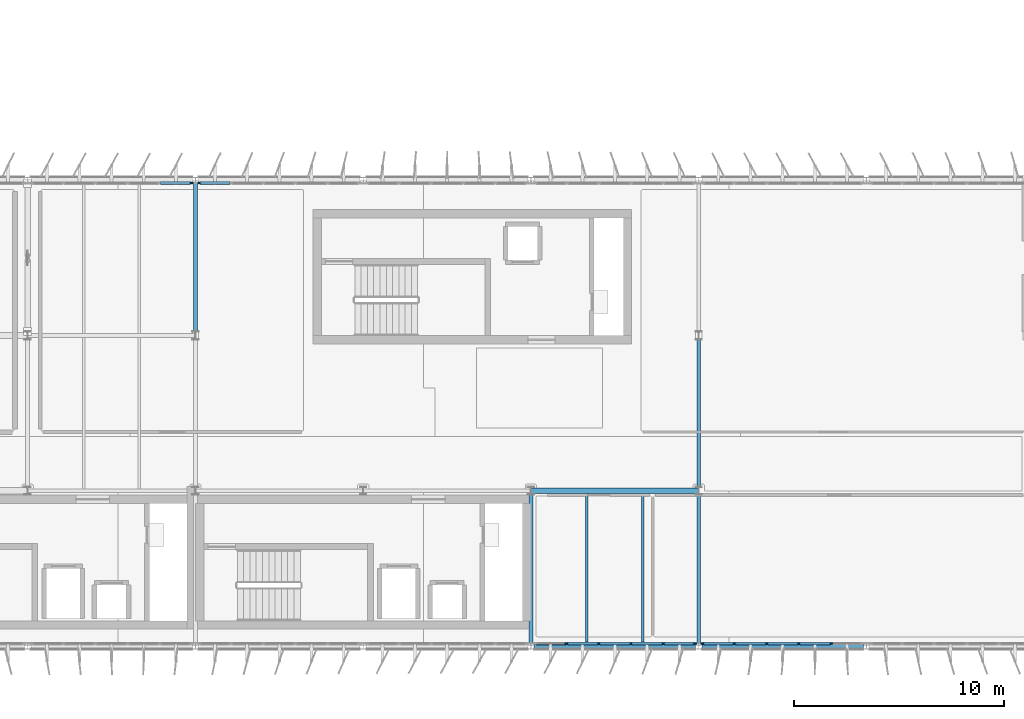
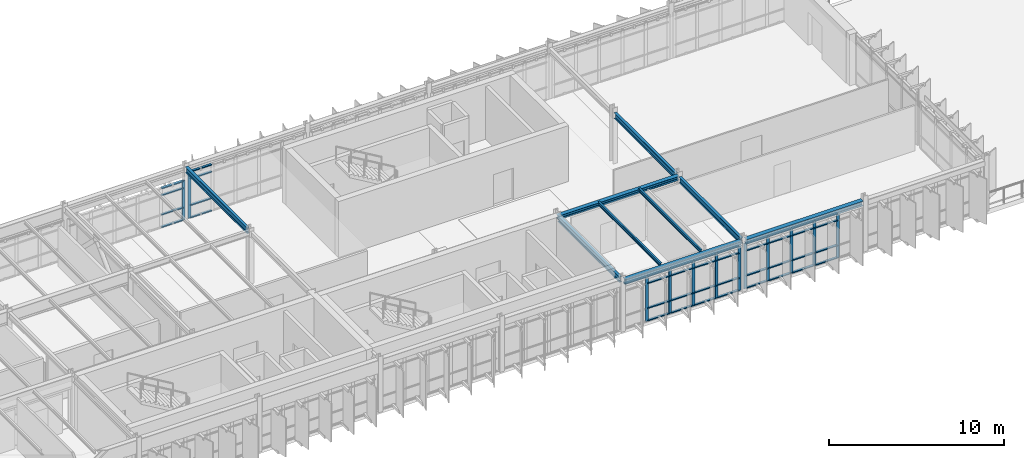
# One storey, part 10 of 35: 53 members, 9 beams, 4 elements without a shape of their own.
"""IFC4 building model written with IfcOpenShell, lengths in metres."""

from ifc_helpers import new_model, si_unit, direction, frame, origin, origin_2d, place, context, subcontext, project, spatial, rectangle, i_section, extrude, material, layer, layer_set, material_profile, profile_set, type_object, element, aggregate, save


model = new_model("IFC4")

# Units and contexts
model_context = context("Model", 3, precision=1e-05, world=origin(), true_north=direction((0.0, 1.0)))
body_context = subcontext(model_context, "Body", "Model", "MODEL_VIEW")
ifc_project = project(units=[si_unit("LENGTHUNIT", "METRE"), si_unit("AREAUNIT", "SQUARE_METRE"), si_unit("VOLUMEUNIT", "CUBIC_METRE"), si_unit("PLANEANGLEUNIT", "RADIAN"), si_unit("MASSUNIT", "GRAM", prefix="KILO")], contexts=[model_context])

# Site, building, storey
site_placement = place(None, origin())
site = spatial("IfcSite", under=ifc_project, at=site_placement, CompositionType="ELEMENT")
building_placement = place(site_placement, origin())
building = spatial("IfcBuilding", under=site, at=building_placement, Name="Valkorina Park Police Headquarters", CompositionType="ELEMENT")
storey_placement = place(building_placement, frame((0.0, 0.0, 27.199951171875)))
storey = spatial("IfcBuildingStorey", under=building, at=storey_placement, Name="L07", CompositionType="ELEMENT", Elevation=27.199951171875)

# Beams
ifc_material_1 = material(Name="Steel S355", Category="steel")
ifc_material_profile_1 = material_profile(ifc_material_1, i_section(OverallWidth=0.280029296875, OverallDepth=0.27001953125, WebThickness=0.008056640625, FlangeThickness=0.012939453125, FilletRadius=0.02392578125, at=origin_2d()), Name="HEA 280")
ifc_profile_set_1 = profile_set([ifc_material_profile_1], Name="Steel S355")
beam_type_1 = type_object("IfcBeamType", Name="BM-S355-HEA280-LNT", PredefinedType="LINTEL", material=ifc_profile_set_1)
beam_1_placement = place(storey_placement, frame((48.805419921875, 44.39990234375, 3.43505859375), z_axis=(1.0, 0.0, 0.0), x_axis=(0.0, 1.0, 0.0)))
element("IfcBeam", 1, at=beam_1_placement, inside=storey, type_object=beam_type_1, Name="L07 Framing Beam 2739", PredefinedType="LINTEL", context=body_context, shape_type="SweptSolid", body=[
    extrude(i_section(OverallWidth=0.280029296875, OverallDepth=0.27001953125, WebThickness=0.008056640625, FlangeThickness=0.012939453125, FilletRadius=0.02392578125, at=origin_2d()), origin(), (0.0, 0.0, 1.0), 7.989013671875),
])
ifc_material_profile_2 = material_profile(ifc_material_1, i_section(OverallWidth=0.300048828125, OverallDepth=0.330078125, WebThickness=0.009521484375, FlangeThickness=0.0166015625, FilletRadius=0.027099609375, at=origin_2d()), Name="HEA 340")
ifc_profile_set_2 = profile_set([ifc_material_profile_2], Name="Steel S355")
beam_type_2 = type_object("IfcBeamType", Name="BM-S355-HEA340-SPN", PredefinedType="SPANDREL", material=ifc_profile_set_2)
for number, where, z_axis, x_axis, name in (
    (2, (48.949951171875, 37.0, 3.405029296875), (1.0, 0.0, 0.0), (0.0, 1.0, 0.0), "L07 Framing Beam 2730"),
    (3, (56.949951171875, 37.0, 3.405029296875), (1.0, 0.0, 0.0), (0.0, 1.0, 0.0), "L07 Framing Beam 2731"),
):
    element("IfcBeam", number, at=place(storey_placement, frame(where, z_axis=z_axis, x_axis=x_axis)), inside=storey, type_object=beam_type_2, Name=name, PredefinedType="SPANDREL", context=body_context, shape_type="SweptSolid", body=[
        extrude(i_section(OverallWidth=0.300048828125, OverallDepth=0.330078125, WebThickness=0.009521484375, FlangeThickness=0.0166015625, FilletRadius=0.027099609375, at=origin_2d()), origin(), (0.0, 0.0, 1.0), 7.699951171875),
    ])
ifc_material_profile_3 = material_profile(ifc_material_1, i_section(OverallWidth=0.1201171875, OverallDepth=0.239990234375, WebThickness=0.006103515625, FlangeThickness=0.009765625, FilletRadius=0.014892578125, at=origin_2d()), Name="IPE 240")
ifc_profile_set_3 = profile_set([ifc_material_profile_3], Name="Steel S355")
beam_type_3 = type_object("IfcBeamType", Name="BM-S355-IPE240-JST", PredefinedType="JOIST", material=ifc_profile_set_3)
for number, where, z_axis, x_axis, name in (
    (4, (51.466796875, 37.14990234375, 3.56005859375), (0.0, 1.0, 0.0), (-1.0, 0.0, 0.0), "L07 Framing Beam 2788"),
    (5, (54.13330078125, 37.14990234375, 3.56005859375), (0.0, 1.0, 0.0), (-1.0, 0.0, 0.0), "L07 Framing Beam 2789"),
):
    element("IfcBeam", number, at=place(storey_placement, frame(where, z_axis=z_axis, x_axis=x_axis)), inside=storey, type_object=beam_type_3, Name=name, PredefinedType="JOIST", context=body_context, shape_type="SweptSolid", body=[
        extrude(i_section(OverallWidth=0.1201171875, OverallDepth=0.239990234375, WebThickness=0.006103515625, FlangeThickness=0.009765625, FilletRadius=0.014892578125, at=origin_2d()), origin(), (0.0, 0.0, 1.0), 7.110107421875),
    ])
ifc_material_profile_4 = material_profile(ifc_material_1, i_section(OverallWidth=0.179931640625, OverallDepth=0.39990234375, WebThickness=0.008544921875, FlangeThickness=0.013427734375, FilletRadius=0.02099609375, at=origin_2d()), Name="IPE 400")
ifc_profile_set_4 = profile_set([ifc_material_profile_4], Name="Steel S355")
beam_type_4 = type_object("IfcBeamType", Name="BM-S355-IPE400-BM", PredefinedType="BEAM", material=ifc_profile_set_4)
beam_2_placement = place(storey_placement, frame((32.800048828125, 51.9951171875, 3.47998046875), z_axis=(0.0, 1.0, 0.0), x_axis=(-1.0, 0.0, 0.0)))
element("IfcBeam", 6, at=beam_2_placement, inside=storey, type_object=beam_type_4, Name="L07 Framing Beam 2786", PredefinedType="BEAM", context=body_context, shape_type="SweptSolid", body=[
    extrude(i_section(OverallWidth=0.179931640625, OverallDepth=0.39990234375, WebThickness=0.008544921875, FlangeThickness=0.013427734375, FilletRadius=0.02099609375, at=origin_2d()), origin(), (0.0, 0.0, 1.0), 7.054931640625),
])
for number, where, z_axis, x_axis, name in (
    (7, (48.800048828125, 37.14990234375, 3.47998046875), (0.0, 1.0, 0.0), (-1.0, 0.0, 0.0), "L07 Framing Beam 2787"),
    (8, (56.800048828125, 37.14990234375, 3.3701171875), (0.0, 1.0, 0.0), (-1.0, 0.0, 0.0), "L07 Framing Beam 2790"),
):
    element("IfcBeam", number, at=place(storey_placement, frame(where, z_axis=z_axis, x_axis=x_axis)), inside=storey, type_object=beam_type_4, Name=name, PredefinedType="BEAM", context=body_context, shape_type="SweptSolid", body=[
        extrude(i_section(OverallWidth=0.179931640625, OverallDepth=0.39990234375, WebThickness=0.008544921875, FlangeThickness=0.013427734375, FilletRadius=0.02099609375, at=origin_2d()), origin(), (0.0, 0.0, 1.0), 7.05517578125),
    ])
beam_3_placement = place(storey_placement, frame((56.800048828125, 44.594970703125, 3.3701171875), z_axis=(0.0, 1.0, 0.0), x_axis=(-1.0, 0.0, 0.0)))
element("IfcBeam", 9, at=beam_3_placement, inside=storey, type_object=beam_type_4, Name="L07 Framing Beam 2791", PredefinedType="BEAM", context=body_context, shape_type="SweptSolid", body=[
    extrude(i_section(OverallWidth=0.179931640625, OverallDepth=0.39990234375, WebThickness=0.008544921875, FlangeThickness=0.013427734375, FilletRadius=0.02099609375, at=origin_2d()), origin(), (0.0, 0.0, 1.0), 7.010009765625),
])

# Curtain wall, members
ifc_material_2 = material(Name="Thermally broken aluminium AW-6060", Category="aluminium")
ifc_layer_1 = layer(ifc_material_2, 0.18994140625)
ifc_layer_set_1 = layer_set([ifc_layer_1], Name="Thermally broken aluminium AW-6060")
curtain_wall_type_1 = type_object("IfcCurtainWallType", Name="CW-V5-7680x3160", PredefinedType="NOTDEFINED", material=ifc_layer_set_1)
curtain_wall_1_placement = place(storey_placement, origin())
curtain_wall_1 = element("IfcCurtainWall", 10, at=curtain_wall_1_placement, inside=storey, type_object=curtain_wall_type_1, Name="L07 Unitised Curtain Wall 134", PredefinedType="NOTDEFINED")
ifc_material_profile_5 = material_profile(ifc_material_2, rectangle(XDim=0.070068359375, YDim=0.18994140625, at=origin_2d()), Name="CWM-02 70x190")
ifc_profile_set_5 = profile_set([ifc_material_profile_5], Name="Thermally broken aluminium AW-6060")
member_type_1 = type_object("IfcMemberType", Name="CWM-70x190", PredefinedType="MULLION", material=ifc_profile_set_5)
member_1_placement = place(storey_placement, frame((63.10400390625, 37.1201171875, 0.0), z_axis=(0.0, 0.0, 1.0), x_axis=(0.0, -1.0, 0.0)))
member_1 = element("IfcMember", 11, at=member_1_placement, type_object=member_type_1, Name="CW-V5-768-316 mullion 2", PredefinedType="MULLION", context=body_context, shape_type="SweptSolid", body=[
    extrude(rectangle(XDim=0.070068359375, YDim=0.18994140625, at=origin_2d()), origin(), (0.0, 0.0, 1.0), 3.16015625),
])
member_2_placement = place(storey_placement, frame((61.568115234375, 37.1201171875, 0.0), z_axis=(0.0, 0.0, 1.0), x_axis=(0.0, -1.0, 0.0)))
member_2 = element("IfcMember", 12, at=member_2_placement, type_object=member_type_1, Name="CW-V5-768-316 mullion 3", PredefinedType="MULLION", context=body_context, shape_type="SweptSolid", body=[
    extrude(rectangle(XDim=0.070068359375, YDim=0.18994140625, at=origin_2d()), origin(), (0.0, 0.0, 1.0), 3.16015625),
])
member_3_placement = place(storey_placement, frame((60.031982421875, 37.1201171875, 0.0), z_axis=(0.0, 0.0, 1.0), x_axis=(0.0, -1.0, 0.0)))
member_3 = element("IfcMember", 13, at=member_3_placement, type_object=member_type_1, Name="CW-V5-768-316 mullion 4", PredefinedType="MULLION", context=body_context, shape_type="SweptSolid", body=[
    extrude(rectangle(XDim=0.070068359375, YDim=0.18994140625, at=origin_2d()), origin(), (0.0, 0.0, 1.0), 3.16015625),
])
member_4_placement = place(storey_placement, frame((58.49609375, 37.1201171875, 0.0), z_axis=(0.0, 0.0, 1.0), x_axis=(0.0, -1.0, 0.0)))
member_4 = element("IfcMember", 14, at=member_4_placement, type_object=member_type_1, Name="CW-V5-768-316 mullion 5", PredefinedType="MULLION", context=body_context, shape_type="SweptSolid", body=[
    extrude(rectangle(XDim=0.070068359375, YDim=0.18994140625, at=origin_2d()), origin(), (0.0, 0.0, 1.0), 3.16015625),
])
member_5_placement = place(storey_placement, frame((56.9951171875, 37.1201171875, 0.0), z_axis=(0.0, 0.0, 1.0), x_axis=(0.0, -1.0, 0.0)))
member_5 = element("IfcMember", 15, at=member_5_placement, type_object=member_type_1, Name="CW-V5-768-316 mullion 6", PredefinedType="MULLION", context=body_context, shape_type="SweptSolid", body=[
    extrude(rectangle(XDim=0.070068359375, YDim=0.18994140625, at=origin_2d()), origin(), (0.0, 0.0, 1.0), 3.16015625),
])

curtain_wall_2_placement = place(storey_placement, origin())
curtain_wall_2 = element("IfcCurtainWall", 16, at=curtain_wall_2_placement, inside=storey, type_object=curtain_wall_type_1, Name="L07 Unitised Curtain Wall 135", PredefinedType="NOTDEFINED")
member_6_placement = place(storey_placement, frame((56.60498046875, 37.1201171875, 0.0), z_axis=(0.0, 0.0, 1.0), x_axis=(0.0, -1.0, 0.0)))
member_6 = element("IfcMember", 17, at=member_6_placement, type_object=member_type_1, Name="CW-V5-768-316 mullion 1", PredefinedType="MULLION", context=body_context, shape_type="SweptSolid", body=[
    extrude(rectangle(XDim=0.070068359375, YDim=0.18994140625, at=origin_2d()), origin(), (0.0, 0.0, 1.0), 3.16015625),
])
member_7_placement = place(storey_placement, frame((55.10400390625, 37.1201171875, 0.0), z_axis=(0.0, 0.0, 1.0), x_axis=(0.0, -1.0, 0.0)))
member_7 = element("IfcMember", 18, at=member_7_placement, type_object=member_type_1, Name="CW-V5-768-316 mullion 2", PredefinedType="MULLION", context=body_context, shape_type="SweptSolid", body=[
    extrude(rectangle(XDim=0.070068359375, YDim=0.18994140625, at=origin_2d()), origin(), (0.0, 0.0, 1.0), 3.16015625),
])
member_8_placement = place(storey_placement, frame((53.568115234375, 37.1201171875, 0.0), z_axis=(0.0, 0.0, 1.0), x_axis=(0.0, -1.0, 0.0)))
member_8 = element("IfcMember", 19, at=member_8_placement, type_object=member_type_1, Name="CW-V5-768-316 mullion 3", PredefinedType="MULLION", context=body_context, shape_type="SweptSolid", body=[
    extrude(rectangle(XDim=0.070068359375, YDim=0.18994140625, at=origin_2d()), origin(), (0.0, 0.0, 1.0), 3.16015625),
])
member_9_placement = place(storey_placement, frame((52.031982421875, 37.1201171875, 0.0), z_axis=(0.0, 0.0, 1.0), x_axis=(0.0, -1.0, 0.0)))
member_9 = element("IfcMember", 20, at=member_9_placement, type_object=member_type_1, Name="CW-V5-768-316 mullion 4", PredefinedType="MULLION", context=body_context, shape_type="SweptSolid", body=[
    extrude(rectangle(XDim=0.070068359375, YDim=0.18994140625, at=origin_2d()), origin(), (0.0, 0.0, 1.0), 3.16015625),
])
member_10_placement = place(storey_placement, frame((50.49609375, 37.1201171875, 0.0), z_axis=(0.0, 0.0, 1.0), x_axis=(0.0, -1.0, 0.0)))
member_10 = element("IfcMember", 21, at=member_10_placement, type_object=member_type_1, Name="CW-V5-768-316 mullion 5", PredefinedType="MULLION", context=body_context, shape_type="SweptSolid", body=[
    extrude(rectangle(XDim=0.070068359375, YDim=0.18994140625, at=origin_2d()), origin(), (0.0, 0.0, 1.0), 3.16015625),
])

# Curtain wall, member
ifc_layer_2 = layer(ifc_material_2, 0.18994140625)
ifc_layer_set_2 = layer_set([ifc_layer_2], Name="Thermally broken aluminium AW-6060")
curtain_wall_type_2 = type_object("IfcCurtainWallType", Name="CW-V5-7680x2770", PredefinedType="NOTDEFINED", material=ifc_layer_set_2)
curtain_wall_3_placement = place(storey_placement, origin())
curtain_wall_3 = element("IfcCurtainWall", 22, at=curtain_wall_3_placement, inside=storey, type_object=curtain_wall_type_2, Name="L07 Unitised Curtain Wall 148", PredefinedType="NOTDEFINED")
member_11_placement = place(storey_placement, frame((32.60498046875, 59.080078125, 0.0), z_axis=(0.0, 0.0, 1.0), x_axis=(0.0, 1.0, 0.0)))
member_11 = element("IfcMember", 23, at=member_11_placement, type_object=member_type_1, Name="CW-V5-768-277 mullion 6", PredefinedType="MULLION", context=body_context, shape_type="SweptSolid", body=[
    extrude(rectangle(XDim=0.070068359375, YDim=0.18994140625, at=origin_2d()), origin(), (0.0, 0.0, 1.0), 2.77001953125),
])

ifc_layer_3 = layer(ifc_material_2, 0.18994140625)
ifc_layer_set_3 = layer_set([ifc_layer_3], Name="Thermally broken aluminium AW-6060")
curtain_wall_type_3 = type_object("IfcCurtainWallType", Name="CW-V5-7680x3270", PredefinedType="NOTDEFINED", material=ifc_layer_set_3)
curtain_wall_4_placement = place(storey_placement, origin())
curtain_wall_4 = element("IfcCurtainWall", 24, at=curtain_wall_4_placement, inside=storey, type_object=curtain_wall_type_3, Name="L07 Unitised Curtain Wall 149", PredefinedType="NOTDEFINED")
member_12_placement = place(storey_placement, frame((32.9951171875, 59.080078125, 0.0), z_axis=(0.0, 0.0, 1.0), x_axis=(0.0, 1.0, 0.0)))
member_12 = element("IfcMember", 25, at=member_12_placement, type_object=member_type_1, Name="CW-V5-768-327 mullion 1", PredefinedType="MULLION", context=body_context, shape_type="SweptSolid", body=[
    extrude(rectangle(XDim=0.070068359375, YDim=0.18994140625, at=origin_2d()), origin(), (0.0, 0.0, 1.0), 3.27001953125),
])

# Member
ifc_material_profile_6 = material_profile(ifc_material_2, rectangle(XDim=0.14990234375, YDim=0.070068359375, at=origin_2d()), Name="CWT-02 150x70")
ifc_profile_set_6 = profile_set([ifc_material_profile_6], Name="Thermally broken aluminium AW-6060")
member_type_2 = type_object("IfcMemberType", Name="CWT-150x70", PredefinedType="USERDEFINED", material=ifc_profile_set_6)
member_13_placement = place(storey_placement, frame((63.069091796875, 37.1201171875, 0.03515625), z_axis=(-1.0, 0.0, 0.0), x_axis=(0.0, -1.0, 0.0)))
member_13 = element("IfcMember", 26, at=member_13_placement, type_object=member_type_2, Name="CW-V5-768-316 transom 2.1", ObjectType="TRANSOM", PredefinedType="USERDEFINED", context=body_context, shape_type="SweptSolid", body=[
    extrude(rectangle(XDim=0.14990234375, YDim=0.070068359375, at=origin_2d()), origin(), (0.0, 0.0, 1.0), 1.466064453125),
])

member_14_placement = place(storey_placement, frame((63.069091796875, 37.1201171875, 0.900146484375), z_axis=(-1.0, 0.0, 0.0), x_axis=(0.0, -1.0, 0.0)))
member_14 = element("IfcMember", 27, at=member_14_placement, type_object=member_type_2, Name="CW-V5-768-316 transom 2.2", ObjectType="TRANSOM", PredefinedType="USERDEFINED", context=body_context, shape_type="SweptSolid", body=[
    extrude(rectangle(XDim=0.14990234375, YDim=0.070068359375, at=origin_2d()), origin(), (0.0, 0.0, 1.0), 1.466064453125),
])

member_15_placement = place(storey_placement, frame((63.069091796875, 37.1201171875, 2.64013671875), z_axis=(-1.0, 0.0, 0.0), x_axis=(0.0, -1.0, 0.0)))
member_15 = element("IfcMember", 28, at=member_15_placement, type_object=member_type_2, Name="CW-V5-768-316 transom 2.3", ObjectType="TRANSOM", PredefinedType="USERDEFINED", context=body_context, shape_type="SweptSolid", body=[
    extrude(rectangle(XDim=0.14990234375, YDim=0.070068359375, at=origin_2d()), origin(), (0.0, 0.0, 1.0), 1.466064453125),
])

member_16_placement = place(storey_placement, frame((63.069091796875, 37.1201171875, 3.125), z_axis=(-1.0, 0.0, 0.0), x_axis=(0.0, -1.0, 0.0)))
member_16 = element("IfcMember", 29, at=member_16_placement, type_object=member_type_2, Name="CW-V5-768-316 transom 2.4", ObjectType="TRANSOM", PredefinedType="USERDEFINED", context=body_context, shape_type="SweptSolid", body=[
    extrude(rectangle(XDim=0.14990234375, YDim=0.070068359375, at=origin_2d()), origin(), (0.0, 0.0, 1.0), 1.466064453125),
])

member_17_placement = place(storey_placement, frame((61.532958984375, 37.1201171875, 0.03515625), z_axis=(-1.0, 0.0, 0.0), x_axis=(0.0, -1.0, 0.0)))
member_17 = element("IfcMember", 30, at=member_17_placement, type_object=member_type_2, Name="CW-V5-768-316 transom 3.1", ObjectType="TRANSOM", PredefinedType="USERDEFINED", context=body_context, shape_type="SweptSolid", body=[
    extrude(rectangle(XDim=0.14990234375, YDim=0.070068359375, at=origin_2d()), origin(), (0.0, 0.0, 1.0), 1.466064453125),
])

member_18_placement = place(storey_placement, frame((61.532958984375, 37.1201171875, 0.900146484375), z_axis=(-1.0, 0.0, 0.0), x_axis=(0.0, -1.0, 0.0)))
member_18 = element("IfcMember", 31, at=member_18_placement, type_object=member_type_2, Name="CW-V5-768-316 transom 3.2", ObjectType="TRANSOM", PredefinedType="USERDEFINED", context=body_context, shape_type="SweptSolid", body=[
    extrude(rectangle(XDim=0.14990234375, YDim=0.070068359375, at=origin_2d()), origin(), (0.0, 0.0, 1.0), 1.466064453125),
])

member_19_placement = place(storey_placement, frame((61.532958984375, 37.1201171875, 2.64013671875), z_axis=(-1.0, 0.0, 0.0), x_axis=(0.0, -1.0, 0.0)))
member_19 = element("IfcMember", 32, at=member_19_placement, type_object=member_type_2, Name="CW-V5-768-316 transom 3.3", ObjectType="TRANSOM", PredefinedType="USERDEFINED", context=body_context, shape_type="SweptSolid", body=[
    extrude(rectangle(XDim=0.14990234375, YDim=0.070068359375, at=origin_2d()), origin(), (0.0, 0.0, 1.0), 1.466064453125),
])

member_20_placement = place(storey_placement, frame((61.532958984375, 37.1201171875, 3.125), z_axis=(-1.0, 0.0, 0.0), x_axis=(0.0, -1.0, 0.0)))
member_20 = element("IfcMember", 33, at=member_20_placement, type_object=member_type_2, Name="CW-V5-768-316 transom 3.4", ObjectType="TRANSOM", PredefinedType="USERDEFINED", context=body_context, shape_type="SweptSolid", body=[
    extrude(rectangle(XDim=0.14990234375, YDim=0.070068359375, at=origin_2d()), origin(), (0.0, 0.0, 1.0), 1.466064453125),
])

member_21_placement = place(storey_placement, frame((59.9970703125, 37.1201171875, 0.03515625), z_axis=(-1.0, 0.0, 0.0), x_axis=(0.0, -1.0, 0.0)))
member_21 = element("IfcMember", 34, at=member_21_placement, type_object=member_type_2, Name="CW-V5-768-316 transom 4.1", ObjectType="TRANSOM", PredefinedType="USERDEFINED", context=body_context, shape_type="SweptSolid", body=[
    extrude(rectangle(XDim=0.14990234375, YDim=0.070068359375, at=origin_2d()), origin(), (0.0, 0.0, 1.0), 1.466064453125),
])

member_22_placement = place(storey_placement, frame((59.9970703125, 37.1201171875, 0.900146484375), z_axis=(-1.0, 0.0, 0.0), x_axis=(0.0, -1.0, 0.0)))
member_22 = element("IfcMember", 35, at=member_22_placement, type_object=member_type_2, Name="CW-V5-768-316 transom 4.2", ObjectType="TRANSOM", PredefinedType="USERDEFINED", context=body_context, shape_type="SweptSolid", body=[
    extrude(rectangle(XDim=0.14990234375, YDim=0.070068359375, at=origin_2d()), origin(), (0.0, 0.0, 1.0), 1.466064453125),
])

member_23_placement = place(storey_placement, frame((59.9970703125, 37.1201171875, 2.64013671875), z_axis=(-1.0, 0.0, 0.0), x_axis=(0.0, -1.0, 0.0)))
member_23 = element("IfcMember", 36, at=member_23_placement, type_object=member_type_2, Name="CW-V5-768-316 transom 4.3", ObjectType="TRANSOM", PredefinedType="USERDEFINED", context=body_context, shape_type="SweptSolid", body=[
    extrude(rectangle(XDim=0.14990234375, YDim=0.070068359375, at=origin_2d()), origin(), (0.0, 0.0, 1.0), 1.466064453125),
])

member_24_placement = place(storey_placement, frame((59.9970703125, 37.1201171875, 3.125), z_axis=(-1.0, 0.0, 0.0), x_axis=(0.0, -1.0, 0.0)))
member_24 = element("IfcMember", 37, at=member_24_placement, type_object=member_type_2, Name="CW-V5-768-316 transom 4.4", ObjectType="TRANSOM", PredefinedType="USERDEFINED", context=body_context, shape_type="SweptSolid", body=[
    extrude(rectangle(XDim=0.14990234375, YDim=0.070068359375, at=origin_2d()), origin(), (0.0, 0.0, 1.0), 1.466064453125),
])

member_25_placement = place(storey_placement, frame((58.4609375, 37.1201171875, 0.03515625), z_axis=(-1.0, 0.0, 0.0), x_axis=(0.0, -1.0, 0.0)))
member_25 = element("IfcMember", 38, at=member_25_placement, type_object=member_type_2, Name="CW-V5-768-316 transom 5.1", ObjectType="TRANSOM", PredefinedType="USERDEFINED", context=body_context, shape_type="SweptSolid", body=[
    extrude(rectangle(XDim=0.14990234375, YDim=0.070068359375, at=origin_2d()), origin(), (0.0, 0.0, 1.0), 1.430908203125),
])

member_26_placement = place(storey_placement, frame((58.4609375, 37.1201171875, 0.900146484375), z_axis=(-1.0, 0.0, 0.0), x_axis=(0.0, -1.0, 0.0)))
member_26 = element("IfcMember", 39, at=member_26_placement, type_object=member_type_2, Name="CW-V5-768-316 transom 5.2", ObjectType="TRANSOM", PredefinedType="USERDEFINED", context=body_context, shape_type="SweptSolid", body=[
    extrude(rectangle(XDim=0.14990234375, YDim=0.070068359375, at=origin_2d()), origin(), (0.0, 0.0, 1.0), 1.430908203125),
])

member_27_placement = place(storey_placement, frame((58.4609375, 37.1201171875, 2.64013671875), z_axis=(-1.0, 0.0, 0.0), x_axis=(0.0, -1.0, 0.0)))
member_27 = element("IfcMember", 40, at=member_27_placement, type_object=member_type_2, Name="CW-V5-768-316 transom 5.3", ObjectType="TRANSOM", PredefinedType="USERDEFINED", context=body_context, shape_type="SweptSolid", body=[
    extrude(rectangle(XDim=0.14990234375, YDim=0.070068359375, at=origin_2d()), origin(), (0.0, 0.0, 1.0), 1.430908203125),
])

member_28_placement = place(storey_placement, frame((58.4609375, 37.1201171875, 3.125), z_axis=(-1.0, 0.0, 0.0), x_axis=(0.0, -1.0, 0.0)))
member_28 = element("IfcMember", 41, at=member_28_placement, type_object=member_type_2, Name="CW-V5-768-316 transom 5.4", ObjectType="TRANSOM", PredefinedType="USERDEFINED", context=body_context, shape_type="SweptSolid", body=[
    extrude(rectangle(XDim=0.14990234375, YDim=0.070068359375, at=origin_2d()), origin(), (0.0, 0.0, 1.0), 1.430908203125),
])

aggregate(curtain_wall_1, [member_1, member_2, member_3, member_4, member_5, member_13, member_14, member_15, member_16, member_17, member_18, member_19, member_20, member_21, member_22, member_23, member_24, member_25, member_26, member_27, member_28])

member_29_placement = place(storey_placement, frame((56.570068359375, 37.1201171875, 0.03515625), z_axis=(-1.0, 0.0, 0.0), x_axis=(0.0, -1.0, 0.0)))
member_29 = element("IfcMember", 42, at=member_29_placement, type_object=member_type_2, Name="CW-V5-768-316 transom 1.1", ObjectType="TRANSOM", PredefinedType="USERDEFINED", context=body_context, shape_type="SweptSolid", body=[
    extrude(rectangle(XDim=0.14990234375, YDim=0.070068359375, at=origin_2d()), origin(), (0.0, 0.0, 1.0), 1.43115234375),
])

member_30_placement = place(storey_placement, frame((56.570068359375, 37.1201171875, 0.900146484375), z_axis=(-1.0, 0.0, 0.0), x_axis=(0.0, -1.0, 0.0)))
member_30 = element("IfcMember", 43, at=member_30_placement, type_object=member_type_2, Name="CW-V5-768-316 transom 1.2", ObjectType="TRANSOM", PredefinedType="USERDEFINED", context=body_context, shape_type="SweptSolid", body=[
    extrude(rectangle(XDim=0.14990234375, YDim=0.070068359375, at=origin_2d()), origin(), (0.0, 0.0, 1.0), 1.43115234375),
])

member_31_placement = place(storey_placement, frame((56.570068359375, 37.1201171875, 2.64013671875), z_axis=(-1.0, 0.0, 0.0), x_axis=(0.0, -1.0, 0.0)))
member_31 = element("IfcMember", 44, at=member_31_placement, type_object=member_type_2, Name="CW-V5-768-316 transom 1.3", ObjectType="TRANSOM", PredefinedType="USERDEFINED", context=body_context, shape_type="SweptSolid", body=[
    extrude(rectangle(XDim=0.14990234375, YDim=0.070068359375, at=origin_2d()), origin(), (0.0, 0.0, 1.0), 1.43115234375),
])

member_32_placement = place(storey_placement, frame((56.570068359375, 37.1201171875, 3.125), z_axis=(-1.0, 0.0, 0.0), x_axis=(0.0, -1.0, 0.0)))
member_32 = element("IfcMember", 45, at=member_32_placement, type_object=member_type_2, Name="CW-V5-768-316 transom 1.4", ObjectType="TRANSOM", PredefinedType="USERDEFINED", context=body_context, shape_type="SweptSolid", body=[
    extrude(rectangle(XDim=0.14990234375, YDim=0.070068359375, at=origin_2d()), origin(), (0.0, 0.0, 1.0), 1.43115234375),
])

member_33_placement = place(storey_placement, frame((55.069091796875, 37.1201171875, 0.03515625), z_axis=(-1.0, 0.0, 0.0), x_axis=(0.0, -1.0, 0.0)))
member_33 = element("IfcMember", 46, at=member_33_placement, type_object=member_type_2, Name="CW-V5-768-316 transom 2.1", ObjectType="TRANSOM", PredefinedType="USERDEFINED", context=body_context, shape_type="SweptSolid", body=[
    extrude(rectangle(XDim=0.14990234375, YDim=0.070068359375, at=origin_2d()), origin(), (0.0, 0.0, 1.0), 1.466064453125),
])

member_34_placement = place(storey_placement, frame((55.069091796875, 37.1201171875, 0.900146484375), z_axis=(-1.0, 0.0, 0.0), x_axis=(0.0, -1.0, 0.0)))
member_34 = element("IfcMember", 47, at=member_34_placement, type_object=member_type_2, Name="CW-V5-768-316 transom 2.2", ObjectType="TRANSOM", PredefinedType="USERDEFINED", context=body_context, shape_type="SweptSolid", body=[
    extrude(rectangle(XDim=0.14990234375, YDim=0.070068359375, at=origin_2d()), origin(), (0.0, 0.0, 1.0), 1.466064453125),
])

member_35_placement = place(storey_placement, frame((55.069091796875, 37.1201171875, 2.64013671875), z_axis=(-1.0, 0.0, 0.0), x_axis=(0.0, -1.0, 0.0)))
member_35 = element("IfcMember", 48, at=member_35_placement, type_object=member_type_2, Name="CW-V5-768-316 transom 2.3", ObjectType="TRANSOM", PredefinedType="USERDEFINED", context=body_context, shape_type="SweptSolid", body=[
    extrude(rectangle(XDim=0.14990234375, YDim=0.070068359375, at=origin_2d()), origin(), (0.0, 0.0, 1.0), 1.466064453125),
])

member_36_placement = place(storey_placement, frame((55.069091796875, 37.1201171875, 3.125), z_axis=(-1.0, 0.0, 0.0), x_axis=(0.0, -1.0, 0.0)))
member_36 = element("IfcMember", 49, at=member_36_placement, type_object=member_type_2, Name="CW-V5-768-316 transom 2.4", ObjectType="TRANSOM", PredefinedType="USERDEFINED", context=body_context, shape_type="SweptSolid", body=[
    extrude(rectangle(XDim=0.14990234375, YDim=0.070068359375, at=origin_2d()), origin(), (0.0, 0.0, 1.0), 1.466064453125),
])

member_37_placement = place(storey_placement, frame((53.532958984375, 37.1201171875, 0.03515625), z_axis=(-1.0, 0.0, 0.0), x_axis=(0.0, -1.0, 0.0)))
member_37 = element("IfcMember", 50, at=member_37_placement, type_object=member_type_2, Name="CW-V5-768-316 transom 3.1", ObjectType="TRANSOM", PredefinedType="USERDEFINED", context=body_context, shape_type="SweptSolid", body=[
    extrude(rectangle(XDim=0.14990234375, YDim=0.070068359375, at=origin_2d()), origin(), (0.0, 0.0, 1.0), 1.466064453125),
])

member_38_placement = place(storey_placement, frame((53.532958984375, 37.1201171875, 0.900146484375), z_axis=(-1.0, 0.0, 0.0), x_axis=(0.0, -1.0, 0.0)))
member_38 = element("IfcMember", 51, at=member_38_placement, type_object=member_type_2, Name="CW-V5-768-316 transom 3.2", ObjectType="TRANSOM", PredefinedType="USERDEFINED", context=body_context, shape_type="SweptSolid", body=[
    extrude(rectangle(XDim=0.14990234375, YDim=0.070068359375, at=origin_2d()), origin(), (0.0, 0.0, 1.0), 1.466064453125),
])

member_39_placement = place(storey_placement, frame((53.532958984375, 37.1201171875, 2.64013671875), z_axis=(-1.0, 0.0, 0.0), x_axis=(0.0, -1.0, 0.0)))
member_39 = element("IfcMember", 52, at=member_39_placement, type_object=member_type_2, Name="CW-V5-768-316 transom 3.3", ObjectType="TRANSOM", PredefinedType="USERDEFINED", context=body_context, shape_type="SweptSolid", body=[
    extrude(rectangle(XDim=0.14990234375, YDim=0.070068359375, at=origin_2d()), origin(), (0.0, 0.0, 1.0), 1.466064453125),
])

member_40_placement = place(storey_placement, frame((53.532958984375, 37.1201171875, 3.125), z_axis=(-1.0, 0.0, 0.0), x_axis=(0.0, -1.0, 0.0)))
member_40 = element("IfcMember", 53, at=member_40_placement, type_object=member_type_2, Name="CW-V5-768-316 transom 3.4", ObjectType="TRANSOM", PredefinedType="USERDEFINED", context=body_context, shape_type="SweptSolid", body=[
    extrude(rectangle(XDim=0.14990234375, YDim=0.070068359375, at=origin_2d()), origin(), (0.0, 0.0, 1.0), 1.466064453125),
])

member_41_placement = place(storey_placement, frame((51.9970703125, 37.1201171875, 0.03515625), z_axis=(-1.0, 0.0, 0.0), x_axis=(0.0, -1.0, 0.0)))
member_41 = element("IfcMember", 54, at=member_41_placement, type_object=member_type_2, Name="CW-V5-768-316 transom 4.1", ObjectType="TRANSOM", PredefinedType="USERDEFINED", context=body_context, shape_type="SweptSolid", body=[
    extrude(rectangle(XDim=0.14990234375, YDim=0.070068359375, at=origin_2d()), origin(), (0.0, 0.0, 1.0), 1.466064453125),
])

member_42_placement = place(storey_placement, frame((51.9970703125, 37.1201171875, 0.900146484375), z_axis=(-1.0, 0.0, 0.0), x_axis=(0.0, -1.0, 0.0)))
member_42 = element("IfcMember", 55, at=member_42_placement, type_object=member_type_2, Name="CW-V5-768-316 transom 4.2", ObjectType="TRANSOM", PredefinedType="USERDEFINED", context=body_context, shape_type="SweptSolid", body=[
    extrude(rectangle(XDim=0.14990234375, YDim=0.070068359375, at=origin_2d()), origin(), (0.0, 0.0, 1.0), 1.466064453125),
])

member_43_placement = place(storey_placement, frame((51.9970703125, 37.1201171875, 2.64013671875), z_axis=(-1.0, 0.0, 0.0), x_axis=(0.0, -1.0, 0.0)))
member_43 = element("IfcMember", 56, at=member_43_placement, type_object=member_type_2, Name="CW-V5-768-316 transom 4.3", ObjectType="TRANSOM", PredefinedType="USERDEFINED", context=body_context, shape_type="SweptSolid", body=[
    extrude(rectangle(XDim=0.14990234375, YDim=0.070068359375, at=origin_2d()), origin(), (0.0, 0.0, 1.0), 1.466064453125),
])

member_44_placement = place(storey_placement, frame((51.9970703125, 37.1201171875, 3.125), z_axis=(-1.0, 0.0, 0.0), x_axis=(0.0, -1.0, 0.0)))
member_44 = element("IfcMember", 57, at=member_44_placement, type_object=member_type_2, Name="CW-V5-768-316 transom 4.4", ObjectType="TRANSOM", PredefinedType="USERDEFINED", context=body_context, shape_type="SweptSolid", body=[
    extrude(rectangle(XDim=0.14990234375, YDim=0.070068359375, at=origin_2d()), origin(), (0.0, 0.0, 1.0), 1.466064453125),
])

member_45_placement = place(storey_placement, frame((50.4609375, 37.1201171875, 3.125), z_axis=(-1.0, 0.0, 0.0), x_axis=(0.0, -1.0, 0.0)))
member_45 = element("IfcMember", 58, at=member_45_placement, type_object=member_type_2, Name="CW-V5-768-316 transom 5.4", ObjectType="TRANSOM", PredefinedType="USERDEFINED", context=body_context, shape_type="SweptSolid", body=[
    extrude(rectangle(XDim=0.14990234375, YDim=0.070068359375, at=origin_2d()), origin(), (0.0, 0.0, 1.0), 1.430908203125),
])

aggregate(curtain_wall_2, [member_6, member_7, member_8, member_9, member_10, member_29, member_30, member_31, member_32, member_33, member_34, member_35, member_36, member_37, member_38, member_39, member_40, member_41, member_42, member_43, member_44, member_45])

member_46_placement = place(storey_placement, frame((31.138916015625, 59.080078125, 0.03515625), z_axis=(1.0, 0.0, 0.0), x_axis=(0.0, 1.0, 0.0)))
member_46 = element("IfcMember", 59, at=member_46_placement, type_object=member_type_2, Name="CW-V5-768-277 transom 5.1", ObjectType="TRANSOM", PredefinedType="USERDEFINED", context=body_context, shape_type="SweptSolid", body=[
    extrude(rectangle(XDim=0.14990234375, YDim=0.070068359375, at=origin_2d()), origin(), (0.0, 0.0, 1.0), 1.43115234375),
])

member_47_placement = place(storey_placement, frame((31.138916015625, 59.080078125, 0.900146484375), z_axis=(1.0, 0.0, 0.0), x_axis=(0.0, 1.0, 0.0)))
member_47 = element("IfcMember", 60, at=member_47_placement, type_object=member_type_2, Name="CW-V5-768-277 transom 5.2", ObjectType="TRANSOM", PredefinedType="USERDEFINED", context=body_context, shape_type="SweptSolid", body=[
    extrude(rectangle(XDim=0.14990234375, YDim=0.070068359375, at=origin_2d()), origin(), (0.0, 0.0, 1.0), 1.43115234375),
])

member_48_placement = place(storey_placement, frame((31.138916015625, 59.080078125, 2.25), z_axis=(1.0, 0.0, 0.0), x_axis=(0.0, 1.0, 0.0)))
member_48 = element("IfcMember", 61, at=member_48_placement, type_object=member_type_2, Name="CW-V5-768-277 transom 5.3", ObjectType="TRANSOM", PredefinedType="USERDEFINED", context=body_context, shape_type="SweptSolid", body=[
    extrude(rectangle(XDim=0.14990234375, YDim=0.070068359375, at=origin_2d()), origin(), (0.0, 0.0, 1.0), 1.43115234375),
])

member_49_placement = place(storey_placement, frame((31.138916015625, 59.080078125, 2.735107421875), z_axis=(1.0, 0.0, 0.0), x_axis=(0.0, 1.0, 0.0)))
member_49 = element("IfcMember", 62, at=member_49_placement, type_object=member_type_2, Name="CW-V5-768-277 transom 5.4", ObjectType="TRANSOM", PredefinedType="USERDEFINED", context=body_context, shape_type="SweptSolid", body=[
    extrude(rectangle(XDim=0.14990234375, YDim=0.070068359375, at=origin_2d()), origin(), (0.0, 0.0, 1.0), 1.43115234375),
])

aggregate(curtain_wall_3, [member_11, member_46, member_47, member_48, member_49])

member_50_placement = place(storey_placement, frame((33.030029296875, 59.080078125, 0.03515625), z_axis=(1.0, 0.0, 0.0), x_axis=(0.0, 1.0, 0.0)))
member_50 = element("IfcMember", 63, at=member_50_placement, type_object=member_type_2, Name="CW-V5-768-327 transom 1.1", ObjectType="TRANSOM", PredefinedType="USERDEFINED", context=body_context, shape_type="SweptSolid", body=[
    extrude(rectangle(XDim=0.14990234375, YDim=0.070068359375, at=origin_2d()), origin(), (0.0, 0.0, 1.0), 1.430908203125),
])

member_51_placement = place(storey_placement, frame((33.030029296875, 59.080078125, 0.900146484375), z_axis=(1.0, 0.0, 0.0), x_axis=(0.0, 1.0, 0.0)))
member_51 = element("IfcMember", 64, at=member_51_placement, type_object=member_type_2, Name="CW-V5-768-327 transom 1.2", ObjectType="TRANSOM", PredefinedType="USERDEFINED", context=body_context, shape_type="SweptSolid", body=[
    extrude(rectangle(XDim=0.14990234375, YDim=0.070068359375, at=origin_2d()), origin(), (0.0, 0.0, 1.0), 1.430908203125),
])

member_52_placement = place(storey_placement, frame((33.030029296875, 59.080078125, 2.75), z_axis=(1.0, 0.0, 0.0), x_axis=(0.0, 1.0, 0.0)))
member_52 = element("IfcMember", 65, at=member_52_placement, type_object=member_type_2, Name="CW-V5-768-327 transom 1.3", ObjectType="TRANSOM", PredefinedType="USERDEFINED", context=body_context, shape_type="SweptSolid", body=[
    extrude(rectangle(XDim=0.14990234375, YDim=0.070068359375, at=origin_2d()), origin(), (0.0, 0.0, 1.0), 1.430908203125),
])

member_53_placement = place(storey_placement, frame((33.030029296875, 59.080078125, 3.235107421875), z_axis=(1.0, 0.0, 0.0), x_axis=(0.0, 1.0, 0.0)))
member_53 = element("IfcMember", 66, at=member_53_placement, type_object=member_type_2, Name="CW-V5-768-327 transom 1.4", ObjectType="TRANSOM", PredefinedType="USERDEFINED", context=body_context, shape_type="SweptSolid", body=[
    extrude(rectangle(XDim=0.14990234375, YDim=0.070068359375, at=origin_2d()), origin(), (0.0, 0.0, 1.0), 1.430908203125),
])

aggregate(curtain_wall_4, [member_12, member_50, member_51, member_52, member_53])

save(model, "model.ifc")
